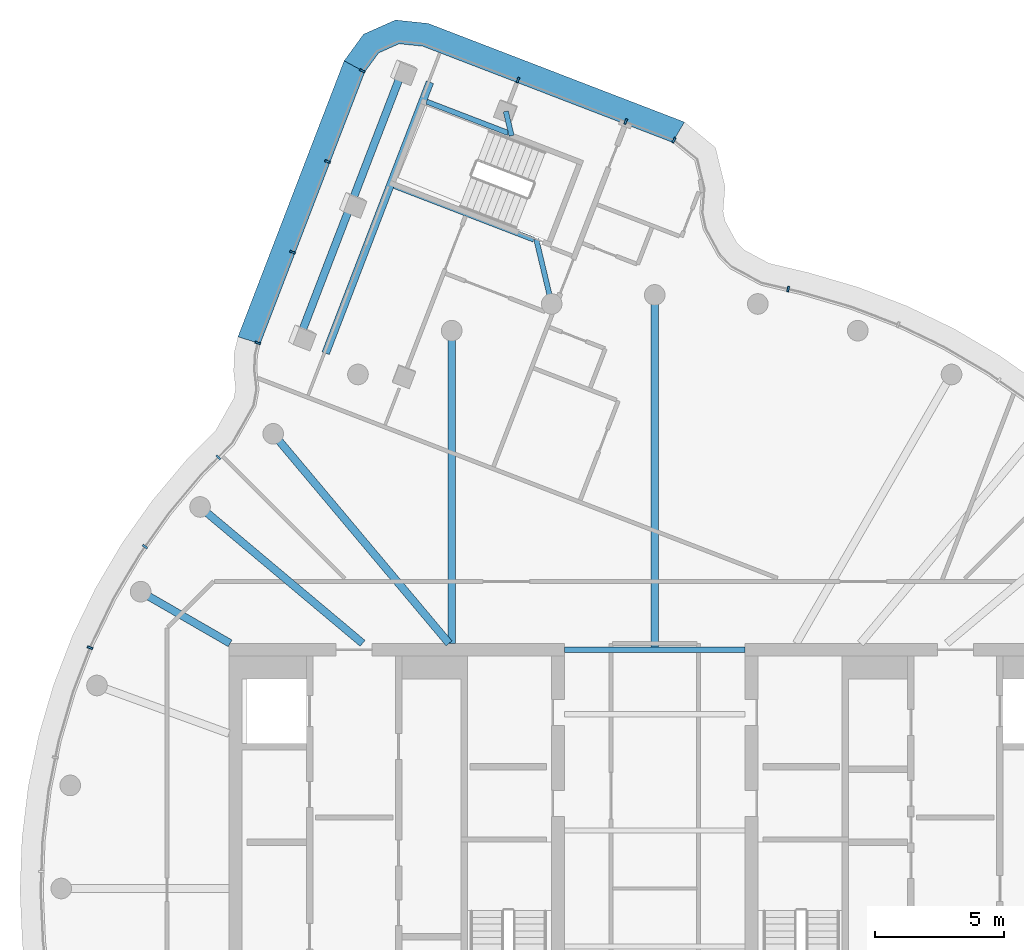
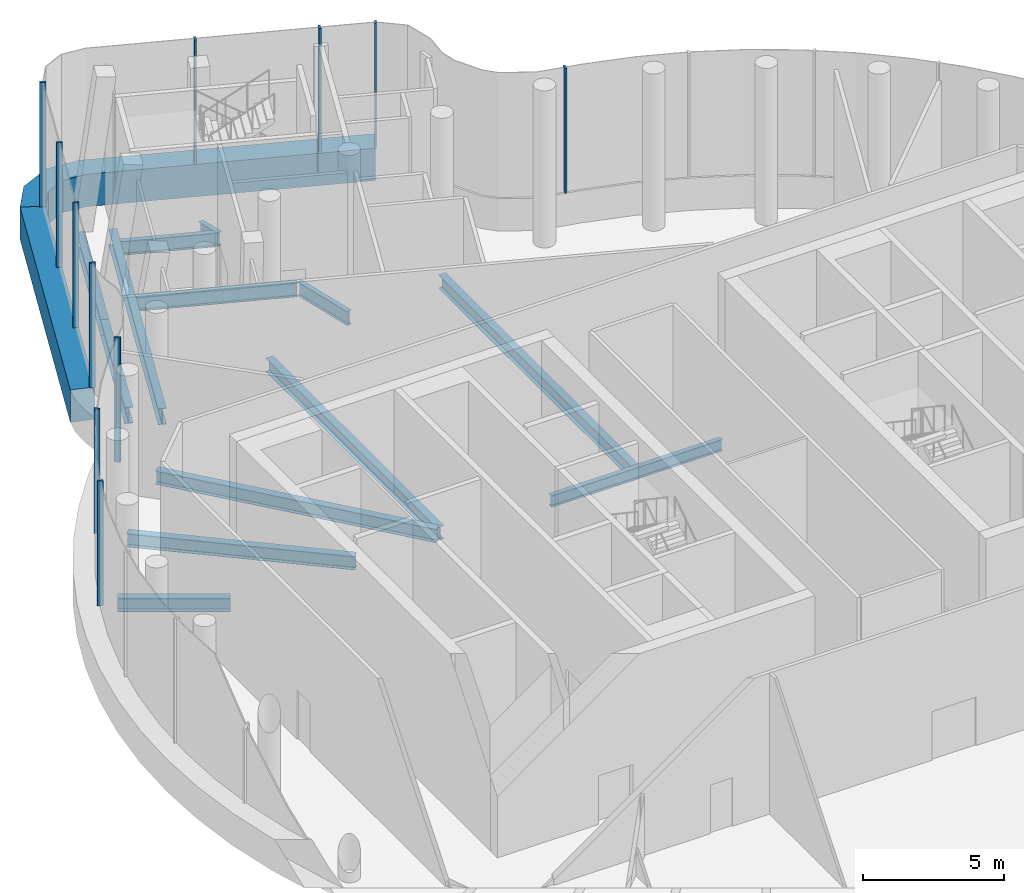
# One storey, part 5 of 12: 13 beams, 13 members, 3 elements without a shape of their own.
"""IFC4 building model written with IfcOpenShell, lengths in metres."""

from ifc_helpers import new_model, si_unit, direction, frame, origin, origin_2d, place, context, subcontext, project, spatial, polyline, rectangle, i_section, outline, extrude, material, layer, layer_set, material_profile, profile_set, type_object, element, aggregate, save


model = new_model("IFC4")

# Units and contexts
model_context = context("Model", 3, precision=1e-05, world=origin(), true_north=direction((0.0, 1.0)))
body_context = subcontext(model_context, "Body", "Model", "MODEL_VIEW")
ifc_project = project(units=[si_unit("LENGTHUNIT", "METRE"), si_unit("AREAUNIT", "SQUARE_METRE"), si_unit("VOLUMEUNIT", "CUBIC_METRE"), si_unit("PLANEANGLEUNIT", "RADIAN"), si_unit("MASSUNIT", "GRAM", prefix="KILO")], contexts=[model_context])

# Site, building, storey
site_placement = place(None, origin())
site = spatial("IfcSite", under=ifc_project, at=site_placement, CompositionType="ELEMENT")
building_placement = place(site_placement, origin())
building = spatial("IfcBuilding", under=site, at=building_placement, Name="Tamarind Cross Interchange Tower", CompositionType="ELEMENT")
storey_placement = place(building_placement, frame((0.0, 0.0, 287.39990234375)))
storey = spatial("IfcBuildingStorey", under=building, at=storey_placement, Name="L72", CompositionType="ELEMENT", Elevation=287.39990234375)

# Beams
ifc_material_1 = material(Name="Steel Q355B", Category="steel")
ifc_material_profile_1 = material_profile(ifc_material_1, i_section(OverallWidth=0.300048828125, OverallDepth=0.58203125, WebThickness=0.011962890625, FlangeThickness=0.01708984375, FilletRadius=0.01806640625, at=origin_2d()), Name="HM 582x300x12x17")
ifc_profile_set_1 = profile_set([ifc_material_profile_1], Name="Steel Q355B")
beam_type_1 = type_object("IfcBeamType", Name="Composite beam HM 582x300x12x17 Q355B", PredefinedType="BEAM", material=ifc_profile_set_1)
beam_1_placement = place(storey_placement, frame((0.0, 23.0, -0.490966796875), z_axis=(0.0, -1.0, 0.0), x_axis=(1.0, 0.0, 0.0)))
element("IfcBeam", 1, at=beam_1_placement, inside=storey, type_object=beam_type_1, Name="Beam HH09", PredefinedType="BEAM", context=body_context, shape_type="SweptSolid", body=[
    extrude(i_section(OverallWidth=0.300048828125, OverallDepth=0.58203125, WebThickness=0.011962890625, FlangeThickness=0.01708984375, FilletRadius=0.01806640625, at=origin_2d()), origin(), (0.0, 0.0, 1.0), 13.75),
])
beam_2_placement = place(storey_placement, frame((-7.866455078125, 21.613037109375, -0.490966796875), z_axis=(0.0, -1.0, 0.0), x_axis=(1.0, 0.0, 0.0)))
element("IfcBeam", 2, at=beam_2_placement, inside=storey, type_object=beam_type_1, Name="Beam HH11", PredefinedType="BEAM", context=body_context, shape_type="SweptSolid", body=[
    extrude(i_section(OverallWidth=0.300048828125, OverallDepth=0.58203125, WebThickness=0.011962890625, FlangeThickness=0.01708984375, FilletRadius=0.01806640625, at=origin_2d()), origin(), (0.0, 0.0, 1.0), 12.113037109375),
])
beam_3_placement = place(storey_placement, frame((-14.7841796875, 17.619140625, -0.490966796875), z_axis=(0.642786293979, -0.766045547127, 0.0), x_axis=(0.766045547127, 0.642786293979, 0.0)))
element("IfcBeam", 3, at=beam_3_placement, inside=storey, type_object=beam_type_1, Name="Beam HH13", PredefinedType="BEAM", context=body_context, shape_type="SweptSolid", body=[
    extrude(i_section(OverallWidth=0.300048828125, OverallDepth=0.58203125, WebThickness=0.011962890625, FlangeThickness=0.01708984375, FilletRadius=0.01806640625, at=origin_2d()), origin(), (0.0, 0.0, 1.0), 10.598876953125),
])
beam_4_placement = place(storey_placement, frame((-17.619140625, 14.7841796875, -0.490966796875), z_axis=(0.766040580814, -0.642792212574, 0.0), x_axis=(0.642792212574, 0.766040580814, 0.0)))
element("IfcBeam", 4, at=beam_4_placement, inside=storey, type_object=beam_type_1, Name="Beam HH14", PredefinedType="BEAM", context=body_context, shape_type="SweptSolid", body=[
    extrude(i_section(OverallWidth=0.300048828125, OverallDepth=0.58203125, WebThickness=0.011962890625, FlangeThickness=0.01708984375, FilletRadius=0.01806640625, at=origin_2d()), origin(), (0.0, 0.0, 1.0), 8.220703125),
])
beam_5_placement = place(storey_placement, frame((-19.918701171875, 11.5, -0.490966796875), z_axis=(0.866026010844, -0.49999894854, 0.0), x_axis=(0.49999894854, 0.866026010844, 0.0)))
element("IfcBeam", 5, at=beam_5_placement, inside=storey, type_object=beam_type_1, Name="Beam HH15", PredefinedType="BEAM", context=body_context, shape_type="SweptSolid", body=[
    extrude(i_section(OverallWidth=0.300048828125, OverallDepth=0.58203125, WebThickness=0.011962890625, FlangeThickness=0.01708984375, FilletRadius=0.01806640625, at=origin_2d()), origin(), (0.0, 0.0, 1.0), 4.0),
])
ifc_material_profile_2 = material_profile(ifc_material_1, i_section(OverallWidth=0.198974609375, OverallDepth=0.49609375, WebThickness=0.009033203125, FlangeThickness=0.013916015625, FilletRadius=0.012939453125, at=origin_2d()), Name="HN 496x199x9x14")
ifc_profile_set_2 = profile_set([ifc_material_profile_2], Name="Steel Q355B")
beam_type_2 = type_object("IfcBeamType", Name="Composite beam HN 496x199x9x14 Q355B", PredefinedType="BEAM", material=ifc_profile_set_2)
beam_6_placement = place(storey_placement, frame((-3.5, 9.25, -0.447998046875), z_axis=(1.0, 0.0, 0.0), x_axis=(0.0, 1.0, 0.0)))
element("IfcBeam", 6, at=beam_6_placement, inside=storey, type_object=beam_type_2, Name="Beam G9.25", PredefinedType="BEAM", context=body_context, shape_type="SweptSolid", body=[
    extrude(i_section(OverallWidth=0.198974609375, OverallDepth=0.49609375, WebThickness=0.009033203125, FlangeThickness=0.013916015625, FilletRadius=0.012939453125, at=origin_2d()), origin(), (0.0, 0.0, 1.0), 7.0),
])
ifc_material_profile_3 = material_profile(ifc_material_1, i_section(OverallWidth=0.199951171875, OverallDepth=0.60009765625, WebThickness=0.010986328125, FlangeThickness=0.01708984375, FilletRadius=0.012939453125, at=origin_2d()), Name="HN 600x200x11x17")
ifc_profile_set_3 = profile_set([ifc_material_profile_3], Name="Steel Q355B")
beam_type_3 = type_object("IfcBeamType", Name="Composite beam HN 600x200x11x17 Q355B", PredefinedType="BEAM", material=ifc_profile_set_3)
beam_7_placement = place(storey_placement, frame((-5.771484375, 30.113525390625, -0.5), z_axis=(0.231563813439, -0.97281971624, 0.0), x_axis=(0.97281971624, 0.231563813439, 0.0)))
element("IfcBeam", 7, at=beam_7_placement, inside=storey, type_object=beam_type_3, Name="Beam N-linkemt0", PredefinedType="BEAM", context=body_context, shape_type="SweptSolid", body=[
    extrude(i_section(OverallWidth=0.199951171875, OverallDepth=0.60009765625, WebThickness=0.010986328125, FlangeThickness=0.01708984375, FilletRadius=0.012939453125, at=origin_2d()), origin(), (0.0, 0.0, 1.0), 0.969970703125),
])
beam_8_placement = place(storey_placement, frame((-4.591552734375, 25.159423828125, -0.5), z_axis=(0.231739974129, -0.972777767217, 0.0), x_axis=(0.972777767217, 0.231739974129, 0.0)))
element("IfcBeam", 8, at=beam_8_placement, inside=storey, type_object=beam_type_3, Name="Beam N-linkemt1", PredefinedType="BEAM", context=body_context, shape_type="SweptSolid", body=[
    extrude(i_section(OverallWidth=0.199951171875, OverallDepth=0.60009765625, WebThickness=0.010986328125, FlangeThickness=0.01708984375, FilletRadius=0.012939453125, at=origin_2d()), origin(), (0.0, 0.0, 1.0), 2.5791015625),
])
beam_9_placement = place(storey_placement, frame((-5.674072265625, 29.2724609375, -0.5), z_axis=(-0.93331778606, 0.359051403318, 0.0), x_axis=(-0.359051403318, -0.93331778606, 0.0)))
element("IfcBeam", 9, at=beam_9_placement, inside=storey, type_object=beam_type_3, Name="Beam N-tr0s1", PredefinedType="BEAM", context=body_context, shape_type="SweptSolid", body=[
    extrude(i_section(OverallWidth=0.199951171875, OverallDepth=0.60009765625, WebThickness=0.010986328125, FlangeThickness=0.01708984375, FilletRadius=0.012939453125, at=origin_2d()), origin(), (0.0, 0.0, 1.0), 3.39306640625),
])
beam_10_placement = place(storey_placement, frame((-4.690673828125, 25.14404296875, -0.5), z_axis=(-0.933318450195, 0.359049676961, 0.0), x_axis=(-0.359049676961, -0.933318450195, 0.0)))
element("IfcBeam", 10, at=beam_10_placement, inside=storey, type_object=beam_type_3, Name="Beam N-tr1s1", PredefinedType="BEAM", context=body_context, shape_type="SweptSolid", body=[
    extrude(i_section(OverallWidth=0.199951171875, OverallDepth=0.60009765625, WebThickness=0.010986328125, FlangeThickness=0.01708984375, FilletRadius=0.012939453125, at=origin_2d()), origin(), (0.0, 0.0, 1.0), 5.793212890625),
])
ifc_material_profile_4 = material_profile(ifc_material_1, i_section(OverallWidth=0.300048828125, OverallDepth=0.699951171875, WebThickness=0.012939453125, FlangeThickness=0.02392578125, FilletRadius=0.01806640625, at=origin_2d()), Name="HN 700x300x13x24")
ifc_profile_set_4 = profile_set([ifc_material_profile_4], Name="Steel Q355B")
beam_type_4 = type_object("IfcBeamType", Name="Composite beam HN 700x300x13x24 Q355B", PredefinedType="BEAM", material=ifc_profile_set_4)
beam_11_placement = place(storey_placement, frame((-9.791259765625, 31.659912109375, -0.5498046875), z_axis=(-0.359074265189, -0.933308990677, 0.0), x_axis=(0.933308990677, -0.359074265189, 0.0)))
element("IfcBeam", 11, at=beam_11_placement, inside=storey, type_object=beam_type_4, Name="Beam N-tip0", PredefinedType="BEAM", context=body_context, shape_type="SweptSolid", body=[
    extrude(i_section(OverallWidth=0.300048828125, OverallDepth=0.699951171875, WebThickness=0.012939453125, FlangeThickness=0.02392578125, FilletRadius=0.01806640625, at=origin_2d()), origin(), (0.0, 0.0, 1.0), 5.499755859375),
])
beam_12_placement = place(storey_placement, frame((-11.76611328125, 26.52685546875, -0.5498046875), z_axis=(-0.359059389314, -0.933314713773, 0.0), x_axis=(0.933314713773, -0.359059389314, 0.0)))
element("IfcBeam", 12, at=beam_12_placement, inside=storey, type_object=beam_type_4, Name="Beam N-tip1", PredefinedType="BEAM", context=body_context, shape_type="SweptSolid", body=[
    extrude(i_section(OverallWidth=0.300048828125, OverallDepth=0.699951171875, WebThickness=0.012939453125, FlangeThickness=0.02392578125, FilletRadius=0.01806640625, at=origin_2d()), origin(), (0.0, 0.0, 1.0), 5.5),
])
beam_13_placement = place(storey_placement, frame((-8.71142578125, 31.24462890625, -0.5498046875), z_axis=(-0.359080850487, -0.933306457073, 0.0), x_axis=(0.933306457073, -0.359080850487, 0.0)))
element("IfcBeam", 13, at=beam_13_placement, inside=storey, type_object=beam_type_4, Name="Beam N-x334", PredefinedType="BEAM", context=body_context, shape_type="SweptSolid", body=[
    extrude(i_section(OverallWidth=0.300048828125, OverallDepth=0.699951171875, WebThickness=0.012939453125, FlangeThickness=0.02392578125, FilletRadius=0.01806640625, at=origin_2d()), origin(), (0.0, 0.0, 1.0), 11.25244140625),
])

# Curtain wall, member
ifc_material_2 = material(Name="Aluminium 6063-T6", Category="aluminium")
ifc_layer = layer(ifc_material_2, 0.219970703125)
ifc_layer_set = layer_set([ifc_layer], Name="Aluminium 6063-T6")
curtain_wall_type = type_object("IfcCurtainWallType", Name="Observation deck curtain wall", PredefinedType="NOTDEFINED", material=ifc_layer_set)
curtain_wall_1_placement = place(storey_placement, origin())
curtain_wall_1 = element("IfcCurtainWall", 14, at=curtain_wall_1_placement, inside=storey, type_object=curtain_wall_type, Name="CWS-L72-00", PredefinedType="NOTDEFINED")
ifc_material_3 = material(Name="Aluminium and insulated spandrel panel", Category="aluminium")
member_type_1 = type_object("IfcMemberType", Name="Floor-edge blade transom", PredefinedType="USERDEFINED", material=ifc_material_3)
member_1_placement = place(storey_placement, origin())
member_1 = element("IfcMember", 15, at=member_1_placement, type_object=member_type_1, Name="CWT-L72-00", ObjectType="TRANSOM", PredefinedType="USERDEFINED", context=body_context, shape_type="SweptSolid", body=[
    extrude(outline(polyline([(0.691650390625, 28.91259765625), (-8.98974609375, 32.637451171875), (-9.900146484375, 32.73388671875), (-10.69921875, 32.378662109375), (-11.238037109375, 31.638427734375), (-12.035400390625, 32.072265625), (-11.28515625, 33.103271484375), (-10.045166015625, 33.654052734375), (-8.77734375, 33.52001953125), (1.150634765625, 29.700439453125), (0.691650390625, 28.91259765625)])), origin(), (0.0, 0.0, 1.0), 1.400146484375),
])

curtain_wall_2_placement = place(storey_placement, origin())
curtain_wall_2 = element("IfcCurtainWall", 16, at=curtain_wall_2_placement, inside=storey, type_object=curtain_wall_type, Name="CWS-L72-01", PredefinedType="NOTDEFINED")
member_2_placement = place(storey_placement, origin())
member_2 = element("IfcMember", 17, at=member_2_placement, type_object=member_type_1, Name="CWT-L72-01", ObjectType="TRANSOM", PredefinedType="USERDEFINED", context=body_context, shape_type="SweptSolid", body=[
    extrude(outline(polyline([(-11.238037109375, 31.638427734375), (-15.289306640625, 21.1083984375), (-16.150390625, 21.37646484375), (-12.035400390625, 32.072265625), (-11.238037109375, 31.638427734375)])), origin(), (0.0, 0.0, 1.0), 1.400146484375),
])

# Member
ifc_material_profile_5 = material_profile(ifc_material_2, rectangle(XDim=0.080078125, YDim=0.219970703125, at=origin_2d()), Name="Mullion CW5")
ifc_profile_set_5 = profile_set([ifc_material_profile_5], Name="Aluminium 6063-T6")
member_type_2 = type_object("IfcMemberType", Name="Mullion CW5", PredefinedType="MULLION", material=ifc_profile_set_5)
member_3_placement = place(storey_placement, frame((0.74267578125, 29.000244140625, 1.400146484375), z_axis=(0.0, 0.0, 1.0), x_axis=(-0.864041964147, 0.503419789234, 0.0)))
member_3 = element("IfcMember", 18, at=member_3_placement, type_object=member_type_2, Name="CWM-L72-00-00", PredefinedType="MULLION", context=body_context, shape_type="SweptSolid", body=[
    extrude(rectangle(XDim=0.080078125, YDim=0.219970703125, at=origin_2d()), origin(), (0.0, 0.0, 1.0), 5.39990234375),
])

member_4_placement = place(storey_placement, frame((-1.12451171875, 29.718505859375, 1.400146484375), z_axis=(0.0, 0.0, 1.0), x_axis=(-0.933309958089, 0.359071750673, 0.0)))
member_4 = element("IfcMember", 19, at=member_4_placement, type_object=member_type_2, Name="CWM-L72-00-01", PredefinedType="MULLION", context=body_context, shape_type="SweptSolid", body=[
    extrude(rectangle(XDim=0.080078125, YDim=0.219970703125, at=origin_2d()), origin(), (0.0, 0.0, 1.0), 5.39990234375),
])

member_5_placement = place(storey_placement, frame((-5.30078125, 31.3251953125, 1.400146484375), z_axis=(0.0, 0.0, 1.0), x_axis=(-0.933309958089, 0.359071750673, 0.0)))
member_5 = element("IfcMember", 20, at=member_5_placement, type_object=member_type_2, Name="CWM-L72-00-02", PredefinedType="MULLION", context=body_context, shape_type="SweptSolid", body=[
    extrude(rectangle(XDim=0.080078125, YDim=0.219970703125, at=origin_2d()), origin(), (0.0, 0.0, 1.0), 5.39990234375),
])

aggregate(curtain_wall_1, [member_3, member_4, member_5, member_1])

member_6_placement = place(storey_placement, frame((-11.32666015625, 31.686767578125, 1.400146484375), z_axis=(0.0, 0.0, 1.0), x_axis=(-0.477821237059, -0.878457093668, 0.0)))
member_6 = element("IfcMember", 21, at=member_6_placement, type_object=member_type_2, Name="CWM-L72-01-00", PredefinedType="MULLION", context=body_context, shape_type="SweptSolid", body=[
    extrude(rectangle(XDim=0.080078125, YDim=0.219970703125, at=origin_2d()), origin(), (0.0, 0.0, 1.0), 5.39990234375),
])

member_7_placement = place(storey_placement, frame((-12.67919921875, 28.170654296875, 1.400146484375), z_axis=(0.0, 0.0, 1.0), x_axis=(-0.359071750673, -0.933309958089, 0.0)))
member_7 = element("IfcMember", 22, at=member_7_placement, type_object=member_type_2, Name="CWM-L72-01-01", PredefinedType="MULLION", context=body_context, shape_type="SweptSolid", body=[
    extrude(rectangle(XDim=0.080078125, YDim=0.219970703125, at=origin_2d()), origin(), (0.0, 0.0, 1.0), 5.39990234375),
])

member_8_placement = place(storey_placement, frame((-14.031982421875, 24.654296875, 1.400146484375), z_axis=(0.0, 0.0, 1.0), x_axis=(-0.359071750673, -0.933309958089, 0.0)))
member_8 = element("IfcMember", 23, at=member_8_placement, type_object=member_type_2, Name="CWM-L72-01-02", PredefinedType="MULLION", context=body_context, shape_type="SweptSolid", body=[
    extrude(rectangle(XDim=0.080078125, YDim=0.219970703125, at=origin_2d()), origin(), (0.0, 0.0, 1.0), 5.39990234375),
])

aggregate(curtain_wall_2, [member_6, member_7, member_8, member_2])

# Curtain wall, members
curtain_wall_3_placement = place(storey_placement, origin())
curtain_wall_3 = element("IfcCurtainWall", 24, at=curtain_wall_3_placement, inside=storey, type_object=curtain_wall_type, Name="CWS-L72-02", PredefinedType="NOTDEFINED")
member_9_placement = place(storey_placement, frame((-15.384765625, 21.13818359375, 1.400146484375), z_axis=(0.0, 0.0, 1.0), x_axis=(-0.297261558691, -0.954796085939, 0.0)))
member_9 = element("IfcMember", 25, at=member_9_placement, type_object=member_type_2, Name="CWM-L72-02-00", PredefinedType="MULLION", context=body_context, shape_type="SweptSolid", body=[
    extrude(rectangle(XDim=0.080078125, YDim=0.219970703125, at=origin_2d()), origin(), (0.0, 0.0, 1.0), 5.39990234375),
])
member_10_placement = place(storey_placement, frame((-16.9140625, 16.7099609375, 1.400146484375), z_axis=(0.0, 0.0, 1.0), x_axis=(-0.703529113913, -0.710666437843, 0.0)))
member_10 = element("IfcMember", 26, at=member_10_placement, type_object=member_type_2, Name="CWM-L72-02-01", PredefinedType="MULLION", context=body_context, shape_type="SweptSolid", body=[
    extrude(rectangle(XDim=0.080078125, YDim=0.219970703125, at=origin_2d()), origin(), (0.0, 0.0, 1.0), 5.39990234375),
])
member_11_placement = place(storey_placement, frame((-19.751953125, 13.2470703125, 1.400146484375), z_axis=(0.0, 0.0, 1.0), x_axis=(-0.577568978284, -0.816341886298, 0.0)))
member_11 = element("IfcMember", 27, at=member_11_placement, type_object=member_type_2, Name="CWM-L72-02-02", PredefinedType="MULLION", context=body_context, shape_type="SweptSolid", body=[
    extrude(rectangle(XDim=0.080078125, YDim=0.219970703125, at=origin_2d()), origin(), (0.0, 0.0, 1.0), 5.39990234375),
])
member_12_placement = place(storey_placement, frame((-21.88427734375, 9.33056640625, 1.400146484375), z_axis=(0.0, 0.0, 1.0), x_axis=(-0.359495435512, -0.933146843667, 0.0)))
member_12 = element("IfcMember", 28, at=member_12_placement, type_object=member_type_2, Name="CWM-L72-02-03", PredefinedType="MULLION", context=body_context, shape_type="SweptSolid", body=[
    extrude(rectangle(XDim=0.080078125, YDim=0.219970703125, at=origin_2d()), origin(), (0.0, 0.0, 1.0), 5.39990234375),
])
member_13_placement = place(storey_placement, frame((5.169921875, 23.22802734375, 1.400146484375), z_axis=(0.0, 0.0, 1.0), x_axis=(-0.973193633955, 0.229987284058, 0.0)))
member_13 = element("IfcMember", 29, at=member_13_placement, type_object=member_type_2, Name="CWM-L72-02-29", PredefinedType="MULLION", context=body_context, shape_type="SweptSolid", body=[
    extrude(rectangle(XDim=0.080078125, YDim=0.219970703125, at=origin_2d()), origin(), (0.0, 0.0, 1.0), 5.39990234375),
])
aggregate(curtain_wall_3, [member_9, member_10, member_11, member_12, member_13])

save(model, "model.ifc")
